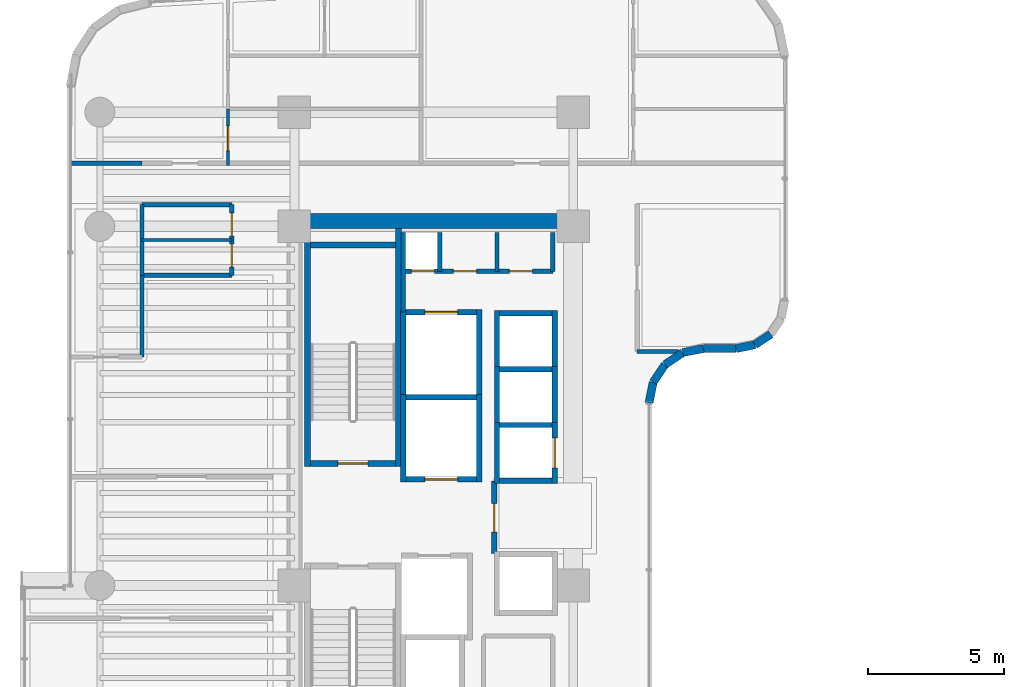
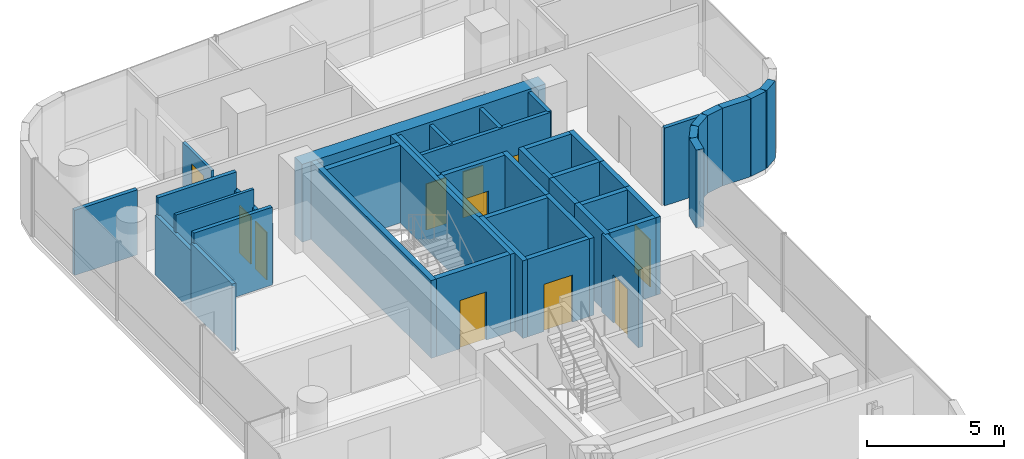
# One storey, part 27 of 34: 44 walls, 11 doors, 11 openings.
"""IFC4 building model written with IfcOpenShell, lengths in metres."""

from ifc_helpers import new_model, si_unit, direction, frame, frame_2d, origin, place, context, subcontext, project, spatial, rectangle, extrude, material, layer, layer_set, type_object, element, fill, save


model = new_model("IFC4")

# Units and contexts
model_context = context("Model", 3, precision=1e-05, world=origin(), true_north=direction((0.0, 1.0)))
body_context = subcontext(model_context, "Body", "Model", "MODEL_VIEW")
ifc_project = project(units=[si_unit("LENGTHUNIT", "METRE"), si_unit("AREAUNIT", "SQUARE_METRE"), si_unit("VOLUMEUNIT", "CUBIC_METRE"), si_unit("PLANEANGLEUNIT", "RADIAN"), si_unit("MASSUNIT", "GRAM", prefix="KILO")], contexts=[model_context])

# Site, building, storey
site_placement = place(None, origin())
site = spatial("IfcSite", under=ifc_project, at=site_placement, CompositionType="ELEMENT")
building_placement = place(site_placement, origin())
building = spatial("IfcBuilding", under=site, at=building_placement, Name="Valdorenza Pilgrim Sanctuary Tower", CompositionType="ELEMENT")
storey_placement = place(building_placement, frame((0.0, 0.0, 161.199951171875)))
storey = spatial("IfcBuildingStorey", under=building, at=storey_placement, Name="L41", CompositionType="ELEMENT", Elevation=161.199951171875)

# Wall
ifc_material_1 = material(Name="Acoustic twin-stud gypsum partition", Category="gypsum")
ifc_layer_1 = layer(ifc_material_1, 0.159912109375, Name="Acoustic twin-stud gypsum partition")
ifc_layer_set_1 = layer_set([ifc_layer_1], Name="Acoustic twin-stud gypsum partition")
wall_type_1 = type_object("IfcWallType", Name="WAL-COR-160", PredefinedType="PARTITIONING", material=ifc_layer_set_1)
wall_1_placement = place(storey_placement, frame((-18.64990234375, 7.449951171875, 0.0), z_axis=(0.0, 0.0, 1.0), x_axis=(0.0, 1.0, 0.0)))
element("IfcWall", 1, at=wall_1_placement, inside=storey, type_object=wall_type_1, Name="L41 Core A North Service West Wall", PredefinedType="PARTITIONING", context=body_context, shape_type="SweptSolid", body=[
    extrude(rectangle(XDim=2.929931640625, YDim=0.159912109375, at=frame_2d((1.46484375, 0.0))), origin(), (0.0, 0.0, 1.0), 3.4599609375),
])

# Wall, openings, doors
wall_2_placement = place(storey_placement, frame((-18.64990234375, 8.949951171875, 0.0), z_axis=(0.0, 0.0, 1.0), x_axis=(1.0, 0.0, 0.0)))
wall_2 = element("IfcWall", 2, at=wall_2_placement, inside=storey, type_object=wall_type_1, Name="L41 Core A North Service South Wall", PredefinedType="PARTITIONING", context=body_context, shape_type="SweptSolid", body=[
    extrude(rectangle(XDim=5.5, YDim=0.159912109375, at=frame_2d((2.75, 0.0))), origin(), (0.0, 0.0, 1.0), 3.4599609375),
])
opening_1_placement = place(wall_2_placement, frame((0.300048828125, 0.0, 0.0)))
opening_1 = element("IfcOpeningElement", 3, at=opening_1_placement, cuts=wall_2, Name="Opening DR-RS1", PredefinedType="OPENING", context=body_context, shape_type="SweptSolid", body=[
    extrude(rectangle(XDim=0.85009765625, YDim=2.050048828125, at=frame_2d((0.425048828125, 1.02490234375))), frame((0.0, 0.0947265625, 0.0), z_axis=(0.0, -1.0, 0.0), x_axis=(1.0, 0.0, 0.0)), (0.0, 0.0, 1.0), 0.189697265625),
])
opening_2_placement = place(wall_2_placement, frame((1.85009765625, 0.0, 0.0)))
opening_2 = element("IfcOpeningElement", 4, at=opening_2_placement, cuts=wall_2, Name="Opening DR-RS1", PredefinedType="OPENING", context=body_context, shape_type="SweptSolid", body=[
    extrude(rectangle(XDim=0.85009765625, YDim=2.050048828125, at=frame_2d((0.425048828125, 1.02490234375))), frame((0.0, 0.0947265625, 0.0), z_axis=(0.0, -1.0, 0.0), x_axis=(1.0, 0.0, 0.0)), (0.0, 0.0, 1.0), 0.189697265625),
])
opening_3_placement = place(wall_2_placement, frame((3.89990234375, 0.0, 0.0)))
opening_3 = element("IfcOpeningElement", 5, at=opening_3_placement, cuts=wall_2, Name="Opening DR-RS1", PredefinedType="OPENING", context=body_context, shape_type="SweptSolid", body=[
    extrude(rectangle(XDim=0.85009765625, YDim=2.050048828125, at=frame_2d((0.425048828125, 1.02490234375))), frame((0.0, 0.0947265625, 0.0), z_axis=(0.0, -1.0, 0.0), x_axis=(1.0, 0.0, 0.0)), (0.0, 0.0, 1.0), 0.189697265625),
])
ifc_material_2 = material(Name="Painted galvanized steel", Category="steel")
door_type_1 = type_object("IfcDoorType", Name="DR-RSR-850", OperationType="NOTDEFINED", PredefinedType="DOOR", material=ifc_material_2)
door_1_placement = place(opening_1_placement, origin())
door_1 = element("IfcDoor", 6, at=door_1_placement, inside=storey, type_object=door_type_1, Name="L41 Core Electrical and Telecom Riser Door", OperationType="SINGLE_SWING_LEFT", OverallHeight=2.050048828125, OverallWidth=0.85009765625, PredefinedType="DOOR", context=body_context, shape_type="SweptSolid", body=[
    extrude(rectangle(XDim=0.85009765625, YDim=2.050048828125, at=frame_2d((0.425048828125, 1.02490234375))), frame((0.0, 0.02490234375, 0.0), z_axis=(0.0, -1.0, 0.0), x_axis=(1.0, 0.0, 0.0)), (0.0, 0.0, 1.0), 0.050048828125),
])
fill(opening_1, door_1)
door_2_placement = place(opening_2_placement, origin())
door_2 = element("IfcDoor", 7, at=door_2_placement, inside=storey, type_object=door_type_1, Name="L41 Housekeeping and Clean Linen Room Door", OperationType="SINGLE_SWING_RIGHT", OverallHeight=2.050048828125, OverallWidth=0.85009765625, PredefinedType="DOOR", context=body_context, shape_type="SweptSolid", body=[
    extrude(rectangle(XDim=0.85009765625, YDim=2.050048828125, at=frame_2d((0.425048828125, 1.02490234375))), frame((0.0, 0.02490234375, 0.0), z_axis=(0.0, -1.0, 0.0), x_axis=(1.0, 0.0, 0.0)), (0.0, 0.0, 1.0), 0.050048828125),
])
fill(opening_2, door_2)
door_3_placement = place(opening_3_placement, origin())
door_3 = element("IfcDoor", 8, at=door_3_placement, inside=storey, type_object=door_type_1, Name="L41 Guest Ice and Vending Pantry Door", OperationType="SINGLE_SWING_LEFT", OverallHeight=2.050048828125, OverallWidth=0.85009765625, PredefinedType="DOOR", context=body_context, shape_type="SweptSolid", body=[
    extrude(rectangle(XDim=0.85009765625, YDim=2.050048828125, at=frame_2d((0.425048828125, 1.02490234375))), frame((0.0, 0.02490234375, 0.0), z_axis=(0.0, -1.0, 0.0), x_axis=(1.0, 0.0, 0.0)), (0.0, 0.0, 1.0), 0.050048828125),
])
fill(opening_3, door_3)

# Walls
for number, where, z_axis, x_axis, name in (
    (9, (-13.14990234375, 8.949951171875, 0.0), (0.0, 0.0, 1.0), (0.0, 1.0, 0.0), "L41 Core A North Service East Wall"),
    (10, (-17.300048828125, 8.949951171875, 0.0), (0.0, 0.0, 1.0), (0.0, 1.0, 0.0), "L41 Core Electrical Riser Wall"),
    (11, (-15.199951171875, 8.949951171875, 0.0), (0.0, 0.0, 1.0), (0.0, 1.0, 0.0), "L41 Core A Housekeeping Split B"),
):
    element("IfcWall", number, at=place(storey_placement, frame(where, z_axis=z_axis, x_axis=x_axis)), inside=storey, type_object=wall_type_1, Name=name, PredefinedType="PARTITIONING", context=body_context, shape_type="SweptSolid", body=[
        extrude(rectangle(XDim=1.429931640625, YDim=0.159912109375, at=frame_2d((0.71484375, 0.0))), origin(), (0.0, 0.0, 1.0), 3.4599609375),
    ])
wall_3_placement = place(storey_placement, frame((-28.25, 8.800048828125, 0.0), z_axis=(0.0, 0.0, 1.0), x_axis=(0.0, 1.0, 0.0)))
element("IfcWall", 12, at=wall_3_placement, inside=storey, type_object=wall_type_1, Name="L41 Washroom West Wall", PredefinedType="PARTITIONING", context=body_context, shape_type="SweptSolid", body=[
    extrude(rectangle(XDim=2.599853515625, YDim=0.159912109375, at=frame_2d((1.2998046875, 0.0))), origin(), (0.0, 0.0, 1.0), 2.666015625),
])

# Wall, openings, doors
wall_4_placement = place(storey_placement, frame((-24.949951171875, 8.800048828125, 0.0), z_axis=(0.0, 0.0, 1.0), x_axis=(0.0, 1.0, 0.0)))
wall_4 = element("IfcWall", 13, at=wall_4_placement, inside=storey, type_object=wall_type_1, Name="L41 Washroom East Wall", PredefinedType="PARTITIONING", context=body_context, shape_type="SweptSolid", body=[
    extrude(rectangle(XDim=2.599853515625, YDim=0.159912109375, at=frame_2d((1.2998046875, 0.0))), origin(), (0.0, 0.0, 1.0), 2.666015625),
])
opening_4_placement = place(wall_4_placement, frame((0.300048828125, 0.0, 0.0)))
opening_4 = element("IfcOpeningElement", 14, at=opening_4_placement, cuts=wall_4, Name="Opening DR-WC1", PredefinedType="OPENING", context=body_context, shape_type="SweptSolid", body=[
    extrude(rectangle(XDim=0.85009765625, YDim=2.10009765625, at=frame_2d((0.425048828125, 1.050048828125))), frame((0.0, 0.0947265625, 0.0), z_axis=(0.0, -1.0, 0.0), x_axis=(1.0, 0.0, 0.0)), (0.0, 0.0, 1.0), 0.189697265625),
])
opening_5_placement = place(wall_4_placement, frame((1.449951171875, 0.0, 0.0)))
opening_5 = element("IfcOpeningElement", 15, at=opening_5_placement, cuts=wall_4, Name="Opening DR-WC1", PredefinedType="OPENING", context=body_context, shape_type="SweptSolid", body=[
    extrude(rectangle(XDim=0.85009765625, YDim=2.10009765625, at=frame_2d((0.425048828125, 1.050048828125))), frame((0.0, 0.0947265625, 0.0), z_axis=(0.0, -1.0, 0.0), x_axis=(1.0, 0.0, 0.0)), (0.0, 0.0, 1.0), 0.189697265625),
])
ifc_material_3 = material(Name="Moisture-resistant lacquered timber", Category="wood")
door_type_2 = type_object("IfcDoorType", Name="DR-BATH-850", OperationType="NOTDEFINED", PredefinedType="DOOR", material=ifc_material_3)
door_4_placement = place(opening_4_placement, origin())
door_4 = element("IfcDoor", 16, at=door_4_placement, inside=storey, type_object=door_type_2, Name="L41 Accessible Washroom Door", OperationType="SINGLE_SWING_LEFT", OverallHeight=2.10009765625, OverallWidth=0.85009765625, PredefinedType="DOOR", context=body_context, shape_type="SweptSolid", body=[
    extrude(rectangle(XDim=0.85009765625, YDim=2.10009765625, at=frame_2d((0.425048828125, 1.050048828125))), frame((0.0, 0.02490234375, 0.0), z_axis=(0.0, -1.0, 0.0), x_axis=(1.0, 0.0, 0.0)), (0.0, 0.0, 1.0), 0.050048828125),
])
fill(opening_4, door_4)
door_5_placement = place(opening_5_placement, origin())
door_5 = element("IfcDoor", 17, at=door_5_placement, inside=storey, type_object=door_type_2, Name="L41 Public Washroom Door", OperationType="SINGLE_SWING_RIGHT", OverallHeight=2.10009765625, OverallWidth=0.85009765625, PredefinedType="DOOR", context=body_context, shape_type="SweptSolid", body=[
    extrude(rectangle(XDim=0.85009765625, YDim=2.10009765625, at=frame_2d((0.425048828125, 1.050048828125))), frame((0.0, 0.02490234375, 0.0), z_axis=(0.0, -1.0, 0.0), x_axis=(1.0, 0.0, 0.0)), (0.0, 0.0, 1.0), 0.050048828125),
])
fill(opening_5, door_5)

# Walls
for number, where, z_axis, x_axis, name in (
    (18, (-28.25, 8.800048828125, 0.0), (0.0, 0.0, 1.0), (1.0, 0.0, 0.0), "L41 Washroom South Wall"),
    (19, (-28.25, 11.39990234375, 0.0), (0.0, 0.0, 1.0), (1.0, 0.0, 0.0), "L41 Washroom North Wall"),
):
    element("IfcWall", number, at=place(storey_placement, frame(where, z_axis=z_axis, x_axis=x_axis)), inside=storey, type_object=wall_type_1, Name=name, PredefinedType="PARTITIONING", context=body_context, shape_type="SweptSolid", body=[
        extrude(rectangle(XDim=3.300048828125, YDim=0.159912109375, at=frame_2d((1.64990234375, 0.0))), origin(), (0.0, 0.0, 1.0), 3.4599609375),
    ])
wall_5_placement = place(storey_placement, frame((-28.25, 5.800048828125, 0.0), z_axis=(0.0, 0.0, 1.0), x_axis=(0.0, 1.0, 0.0)))
element("IfcWall", 20, at=wall_5_placement, inside=storey, type_object=wall_type_1, Name="L41 Cloister NE Closure", PredefinedType="PARTITIONING", context=body_context, shape_type="SweptSolid", body=[
    extrude(rectangle(XDim=3.0, YDim=0.159912109375, at=frame_2d((1.5, 0.0))), origin(), (0.0, 0.0, 1.0), 2.988037109375),
])
wall_6_placement = place(storey_placement, frame((-30.889892578125, 12.919921875, 0.0), z_axis=(0.0, 0.0, 1.0), x_axis=(1.0, 0.0, 0.0)))
element("IfcWall", 21, at=wall_6_placement, inside=storey, type_object=wall_type_1, Name="L41 Cloister North Solid Partition", PredefinedType="PARTITIONING", context=body_context, shape_type="SweptSolid", body=[
    extrude(rectangle(XDim=2.639892578125, YDim=0.159912109375, at=frame_2d((1.31982421875, 0.0))), origin(), (0.0, 0.0, 1.0), 2.89599609375),
])
wall_7_placement = place(storey_placement, frame((-10.050048828125, 6.0, 0.0), z_axis=(0.0, 0.0, 1.0), x_axis=(1.0, 0.0, 0.0)))
element("IfcWall", 22, at=wall_7_placement, inside=storey, type_object=wall_type_1, Name="L41 East Stub South Wall", PredefinedType="PARTITIONING", context=body_context, shape_type="SweptSolid", body=[
    extrude(rectangle(XDim=1.516357421875, YDim=0.159912109375, at=frame_2d((0.75830078125, 0.0))), origin(), (0.0, 0.0, 1.0), 3.4599609375),
])
ifc_material_4 = material(Name="Concrete C50/60", Category="concrete")
ifc_layer_2 = layer(ifc_material_4, 0.550048828125, Name="Concrete C50/60")
ifc_layer_set_2 = layer_set([ifc_layer_2], Name="Concrete C50/60")
wall_type_2 = type_object("IfcWallType", Name="WAL-COR-550", PredefinedType="SHEAR", material=ifc_layer_set_2)
wall_8_placement = place(storey_placement, frame((-22.64990234375, 10.800048828125, 0.0), z_axis=(0.0, 0.0, 1.0), x_axis=(1.0, 0.0, 0.0)))
element("IfcWall", 23, at=wall_8_placement, inside=storey, type_object=wall_type_2, Name="L41 Split Core A Shear Wall N", PredefinedType="SHEAR", context=body_context, shape_type="SweptSolid", body=[
    extrude(rectangle(XDim=10.25, YDim=0.550048828125, at=frame_2d((5.125, 0.0))), origin(), (0.0, 0.0, 1.0), 3.4599609375),
])
ifc_material_5 = material(Name="Honed travertine limestone", Category="masonry")
ifc_layer_3 = layer(ifc_material_5, 0.300048828125, Name="Honed travertine limestone")
ifc_layer_set_3 = layer_set([ifc_layer_3], Name="Honed travertine limestone")
wall_type_3 = type_object("IfcWallType", Name="WAL-EXT-300", PredefinedType="SOLIDWALL", material=ifc_layer_set_3)
wall_9_placement = place(storey_placement, frame((-5.1357421875, 6.6357421875, 0.0), z_axis=(0.0, 0.0, 1.0), x_axis=(-0.831565381614, -0.555426877366, 0.0)))
element("IfcWall", 24, at=wall_9_placement, inside=storey, type_object=wall_type_3, Name="L41 Rounded Wind-Corner Stone Pier 14", PredefinedType="SOLIDWALL", context=body_context, shape_type="SweptSolid", body=[
    extrude(rectangle(XDim=0.697509765625, YDim=0.300048828125, at=frame_2d((0.3486328125, 0.0))), origin(), (0.0, 0.0, 1.0), 3.4599609375),
])
wall_10_placement = place(storey_placement, frame((-5.7158203125, 6.248291015625, 0.0), z_axis=(0.0, 0.0, 1.0), x_axis=(-0.980805282058, -0.194989739953, 0.0)))
element("IfcWall", 25, at=wall_10_placement, inside=storey, type_object=wall_type_3, Name="L41 Rounded Wind-Corner Stone Pier 15", PredefinedType="SOLIDWALL", context=body_context, shape_type="SweptSolid", body=[
    extrude(rectangle(XDim=0.708740234375, YDim=0.300048828125, at=frame_2d((0.3544921875, 0.0))), origin(), (0.0, 0.0, 1.0), 3.4599609375),
])
wall_11_placement = place(storey_placement, frame((-6.410888671875, 6.110107421875, 0.0), z_axis=(0.0, 0.0, 1.0), x_axis=(-1.0, 0.0, 0.0)))
element("IfcWall", 26, at=wall_11_placement, inside=storey, type_object=wall_type_3, Name="L41 Rounded Wind-Corner Stone Pier 16", PredefinedType="SOLIDWALL", context=body_context, shape_type="SweptSolid", body=[
    extrude(rectangle(XDim=1.199951171875, YDim=0.300048828125, at=frame_2d((0.60009765625, 0.0))), origin(), (0.0, 0.0, 1.0), 3.4599609375),
])
wall_12_placement = place(storey_placement, frame((-7.61083984375, 6.110107421875, 0.0), z_axis=(0.0, 0.0, 1.0), x_axis=(-0.98076219082, -0.195206365311, 0.0)))
element("IfcWall", 27, at=wall_12_placement, inside=storey, type_object=wall_type_3, Name="L41 Rounded Wind-Corner Stone Pier 17", PredefinedType="SOLIDWALL", context=body_context, shape_type="SweptSolid", body=[
    extrude(rectangle(XDim=0.774169921875, YDim=0.300048828125, at=frame_2d((0.38720703125, 0.0))), origin(), (0.0, 0.0, 1.0), 3.4599609375),
])
for number, where, z_axis, x_axis, name in (
    (28, (-8.3701171875, 5.958984375, 0.0), (0.0, 0.0, 1.0), (-0.831331880615, -0.555776307766, 0.0), "L41 Rounded Wind-Corner Stone Pier 18"),
    (29, (-9.022705078125, 5.522705078125, 0.0), (0.0, 0.0, 1.0), (-0.555776307766, -0.831331880615, 0.0), "L41 Rounded Wind-Corner Stone Pier 19"),
):
    element("IfcWall", number, at=place(storey_placement, frame(where, z_axis=z_axis, x_axis=x_axis)), inside=storey, type_object=wall_type_3, Name=name, PredefinedType="SOLIDWALL", context=body_context, shape_type="SweptSolid", body=[
        extrude(rectangle(XDim=0.784912109375, YDim=0.300048828125, at=frame_2d((0.392578125, 0.0))), origin(), (0.0, 0.0, 1.0), 3.4599609375),
    ])
wall_13_placement = place(storey_placement, frame((-9.458984375, 4.8701171875, 0.0), z_axis=(0.0, 0.0, 1.0), x_axis=(-0.195206365311, -0.98076219082, 0.0)))
element("IfcWall", 30, at=wall_13_placement, inside=storey, type_object=wall_type_3, Name="L41 Rounded Wind-Corner Stone Pier 20", PredefinedType="SOLIDWALL", context=body_context, shape_type="SweptSolid", body=[
    extrude(rectangle(XDim=0.774169921875, YDim=0.300048828125, at=frame_2d((0.38720703125, 0.0))), origin(), (0.0, 0.0, 1.0), 3.4599609375),
])

# Wall, opening, door
ifc_material_6 = material(Name="Gypsum shaftwall partition", Category="gypsum")
ifc_layer_4 = layer(ifc_material_6, 0.199951171875, Name="Gypsum shaftwall partition")
ifc_layer_set_4 = layer_set([ifc_layer_4], Name="Gypsum shaftwall partition")
wall_type_4 = type_object("IfcWallType", Name="WAL-FFL-200", PredefinedType="PARTITIONING", material=ifc_layer_set_4)
wall_14_placement = place(storey_placement, frame((-15.300048828125, -1.419921875, 0.0), z_axis=(0.0, 0.0, 1.0), x_axis=(0.0, 1.0, 0.0)))
wall_14 = element("IfcWall", 31, at=wall_14_placement, inside=storey, type_object=wall_type_4, Name="L41 Core A Firefighting Lobby East Wall", PredefinedType="PARTITIONING", context=body_context, shape_type="SweptSolid", body=[
    extrude(rectangle(XDim=2.669921875, YDim=0.199951171875, at=frame_2d((1.3349609375, 0.0))), origin(), (0.0, 0.0, 1.0), 3.4599609375),
])
opening_6_placement = place(wall_14_placement, frame((0.780029296875, 0.0, 0.0)))
opening_6 = element("IfcOpeningElement", 32, at=opening_6_placement, cuts=wall_14, Name="Opening DR-FL1", PredefinedType="OPENING", context=body_context, shape_type="SweptSolid", body=[
    extrude(rectangle(XDim=1.050048828125, YDim=2.14990234375, at=frame_2d((0.52490234375, 1.074951171875))), frame((0.0, 0.11474609375, 0.0), z_axis=(0.0, -1.0, 0.0), x_axis=(1.0, 0.0, 0.0)), (0.0, 0.0, 1.0), 0.229736328125),
])
door_type_3 = type_object("IfcDoorType", Name="DR-FFL-1050", OperationType="NOTDEFINED", PredefinedType="DOOR", material=ifc_material_2)
door_6_placement = place(opening_6_placement, origin())
door_6 = element("IfcDoor", 33, at=door_6_placement, inside=storey, type_object=door_type_3, Name="L41 Core A Firefighting Lobby Door", OperationType="SINGLE_SWING_RIGHT", OverallHeight=2.14990234375, OverallWidth=1.050048828125, PredefinedType="DOOR", context=body_context, shape_type="SweptSolid", body=[
    extrude(rectangle(XDim=1.050048828125, YDim=2.14990234375, at=frame_2d((0.52490234375, 1.074951171875))), frame((0.0, 0.02490234375, 0.0), z_axis=(0.0, -1.0, 0.0), x_axis=(1.0, 0.0, 0.0)), (0.0, 0.0, 1.0), 0.050048828125),
])
fill(opening_6, door_6)

# Wall
ifc_material_7 = material(Name="Moisture-resistant gypsum partition", Category="gypsum")
ifc_layer_5 = layer(ifc_material_7, 0.1201171875, Name="Moisture-resistant gypsum partition")
ifc_layer_set_5 = layer_set([ifc_layer_5], Name="Moisture-resistant gypsum partition")
wall_type_5 = type_object("IfcWallType", Name="WAL-INT-120", PredefinedType="PARTITIONING", material=ifc_layer_set_5)
wall_15_placement = place(storey_placement, frame((-28.25, 10.10009765625, 0.0), z_axis=(0.0, 0.0, 1.0), x_axis=(1.0, 0.0, 0.0)))
element("IfcWall", 34, at=wall_15_placement, inside=storey, type_object=wall_type_5, Name="L41 Washroom Divider Wall", PredefinedType="PARTITIONING", context=body_context, shape_type="SweptSolid", body=[
    extrude(rectangle(XDim=3.300048828125, YDim=0.1201171875, at=frame_2d((1.64990234375, 0.0))), origin(), (0.0, 0.0, 1.0), 3.4599609375),
])

# Wall, opening, door
wall_16_placement = place(storey_placement, frame((-25.0849609375, 12.840087890625, 0.0), z_axis=(0.0, 0.0, 1.0), x_axis=(0.0, 1.0, 0.0)))
wall_16 = element("IfcWall", 35, at=wall_16_placement, inside=storey, type_object=wall_type_5, Name="L41 North Family Flat L41-N1 Kitchen Door Wall", PredefinedType="PARTITIONING", context=body_context, shape_type="SweptSolid", body=[
    extrude(rectangle(XDim=2.079833984375, YDim=0.1201171875, at=frame_2d((1.0400390625, 0.0))), origin(), (0.0, 0.0, 1.0), 2.666015625),
])
opening_7_placement = place(wall_16_placement, frame((0.550048828125, 0.0, 0.0)))
opening_7 = element("IfcOpeningElement", 36, at=opening_7_placement, cuts=wall_16, Name="Opening DR-RM1", PredefinedType="OPENING", context=body_context, shape_type="SweptSolid", body=[
    extrude(rectangle(XDim=0.89990234375, YDim=2.10009765625, at=frame_2d((0.449951171875, 1.050048828125))), frame((0.0, 0.074951171875, 0.0), z_axis=(0.0, -1.0, 0.0), x_axis=(1.0, 0.0, 0.0)), (0.0, 0.0, 1.0), 0.14990234375),
])
ifc_material_8 = material(Name="Solid-core European oak timber", Category="wood")
door_type_4 = type_object("IfcDoorType", Name="DR-ROOM-900", OperationType="NOTDEFINED", PredefinedType="DOOR", material=ifc_material_8)
door_7_placement = place(opening_7_placement, origin())
door_7 = element("IfcDoor", 37, at=door_7_placement, inside=storey, type_object=door_type_4, Name="L41 North Family Flat L41-N1 Kitchen Door", OperationType="SINGLE_SWING_LEFT", OverallHeight=2.10009765625, OverallWidth=0.89990234375, PredefinedType="DOOR", context=body_context, shape_type="SweptSolid", body=[
    extrude(rectangle(XDim=0.89990234375, YDim=2.10009765625, at=frame_2d((0.449951171875, 1.050048828125))), frame((0.0, 0.02490234375, 0.0), z_axis=(0.0, -1.0, 0.0), x_axis=(1.0, 0.0, 0.0)), (0.0, 0.0, 1.0), 0.050048828125),
])
fill(opening_7, door_7)

# Walls
ifc_material_9 = material(Name="Autoclaved aerated concrete blockwork", Category="masonry")
ifc_layer_6 = layer(ifc_material_9, 0.199951171875, Name="Autoclaved aerated concrete blockwork")
ifc_layer_set_6 = layer_set([ifc_layer_6], Name="Autoclaved aerated concrete blockwork")
wall_type_6 = type_object("IfcWallType", Name="WAL-SHF-200", PredefinedType="MOVABLE", material=ifc_layer_set_6)
for number, where, z_axis, x_axis, name in (
    (38, (-18.64990234375, 1.199951171875, 0.0), (0.0, 0.0, 1.0), (0.0, 1.0, 0.0), "L41 Lift FFL-01 Hoistway Wall West"),
    (39, (-15.85009765625, 1.199951171875, 0.0), (0.0, 0.0, 1.0), (0.0, 1.0, 0.0), "L41 Lift FFL-01 Hoistway Wall East"),
):
    element("IfcWall", number, at=place(storey_placement, frame(where, z_axis=z_axis, x_axis=x_axis)), inside=storey, type_object=wall_type_6, Name=name, PredefinedType="MOVABLE", context=body_context, shape_type="SweptSolid", body=[
        extrude(rectangle(XDim=3.22509765625, YDim=0.199951171875, at=frame_2d((1.612548828125, 0.0))), origin(), (0.0, 0.0, 1.0), 3.4599609375),
    ])

# Wall, opening, door
wall_17_placement = place(storey_placement, frame((-18.550048828125, 1.300048828125, 0.0), z_axis=(0.0, 0.0, 1.0), x_axis=(1.0, 0.0, 0.0)))
wall_17 = element("IfcWall", 40, at=wall_17_placement, inside=storey, type_object=wall_type_6, Name="L41 Lift FFL-01 Hoistway Wall South", PredefinedType="MOVABLE", context=body_context, shape_type="SweptSolid", body=[
    extrude(rectangle(XDim=2.60009765625, YDim=0.199951171875, at=frame_2d((1.300048828125, 0.0))), origin(), (0.0, 0.0, 1.0), 3.4599609375),
])
opening_8_placement = place(wall_17_placement, frame((0.699951171875, 0.0, 0.0)))
opening_8 = element("IfcOpeningElement", 41, at=opening_8_placement, cuts=wall_17, Name="Opening LD-02", PredefinedType="OPENING", context=body_context, shape_type="SweptSolid", body=[
    extrude(rectangle(XDim=1.199951171875, YDim=2.10009765625, at=frame_2d((0.60009765625, 1.050048828125))), frame((0.0, 0.11474609375, 0.0), z_axis=(0.0, -1.0, 0.0), x_axis=(1.0, 0.0, 0.0)), (0.0, 0.0, 1.0), 0.229736328125),
])
ifc_material_10 = material(Name="Brushed stainless steel Grade 316", Category="steel")
door_type_5 = type_object("IfcDoorType", Name="DR-LFT-1200", OperationType="DOUBLE_DOOR_SLIDING", PredefinedType="DOOR", material=ifc_material_10)
door_8_placement = place(opening_8_placement, origin())
door_8 = element("IfcDoor", 42, at=door_8_placement, inside=storey, type_object=door_type_5, Name="L41 Lift FFL-01 Sliding Landing Door", OperationType="DOUBLE_DOOR_SLIDING", OverallHeight=2.10009765625, OverallWidth=1.199951171875, PredefinedType="DOOR", context=body_context, shape_type="SweptSolid", body=[
    extrude(rectangle(XDim=1.199951171875, YDim=2.10009765625, at=frame_2d((0.60009765625, 1.050048828125))), frame((0.0, 0.02490234375, 0.0), z_axis=(0.0, -1.0, 0.0), x_axis=(1.0, 0.0, 0.0)), (0.0, 0.0, 1.0), 0.050048828125),
])
fill(opening_8, door_8)

# Walls
wall_18_placement = place(storey_placement, frame((-18.550048828125, 4.324951171875, 0.0), z_axis=(0.0, 0.0, 1.0), x_axis=(1.0, 0.0, 0.0)))
element("IfcWall", 43, at=wall_18_placement, inside=storey, type_object=wall_type_6, Name="L41 Lift FFL-01 Hoistway Wall North", PredefinedType="MOVABLE", context=body_context, shape_type="SweptSolid", body=[
    extrude(rectangle(XDim=2.60009765625, YDim=0.199951171875, at=frame_2d((1.300048828125, 0.0))), origin(), (0.0, 0.0, 1.0), 3.4599609375),
])
for number, where, z_axis, x_axis, name in (
    (44, (-18.64990234375, 4.22509765625, 0.0), (0.0, 0.0, 1.0), (0.0, 1.0, 0.0), "L41 Lift SVL-01 Hoistway Wall West"),
    (45, (-15.85009765625, 4.22509765625, 0.0), (0.0, 0.0, 1.0), (0.0, 1.0, 0.0), "L41 Lift SVL-01 Hoistway Wall East"),
):
    element("IfcWall", number, at=place(storey_placement, frame(where, z_axis=z_axis, x_axis=x_axis)), inside=storey, type_object=wall_type_6, Name=name, PredefinedType="MOVABLE", context=body_context, shape_type="SweptSolid", body=[
        extrude(rectangle(XDim=3.324951171875, YDim=0.199951171875, at=frame_2d((1.66259765625, 0.0))), origin(), (0.0, 0.0, 1.0), 3.4599609375),
    ])

# Wall, opening, door
wall_19_placement = place(storey_placement, frame((-18.550048828125, 7.449951171875, 0.0), z_axis=(0.0, 0.0, 1.0), x_axis=(1.0, 0.0, 0.0)))
wall_19 = element("IfcWall", 46, at=wall_19_placement, inside=storey, type_object=wall_type_6, Name="L41 Lift SVL-01 Hoistway Wall North", PredefinedType="MOVABLE", context=body_context, shape_type="SweptSolid", body=[
    extrude(rectangle(XDim=2.60009765625, YDim=0.199951171875, at=frame_2d((1.300048828125, 0.0))), origin(), (0.0, 0.0, 1.0), 3.4599609375),
])
opening_9_placement = place(wall_19_placement, frame((0.699951171875, 0.0, 0.0)))
opening_9 = element("IfcOpeningElement", 47, at=opening_9_placement, cuts=wall_19, Name="Opening LD-02", PredefinedType="OPENING", context=body_context, shape_type="SweptSolid", body=[
    extrude(rectangle(XDim=1.199951171875, YDim=2.10009765625, at=frame_2d((0.60009765625, 1.050048828125))), frame((0.0, 0.11474609375, 0.0), z_axis=(0.0, -1.0, 0.0), x_axis=(1.0, 0.0, 0.0)), (0.0, 0.0, 1.0), 0.229736328125),
])
door_9_placement = place(opening_9_placement, origin())
door_9 = element("IfcDoor", 48, at=door_9_placement, inside=storey, type_object=door_type_5, Name="L41 Lift SVL-01 Sliding Landing Door", OperationType="DOUBLE_DOOR_SLIDING", OverallHeight=2.10009765625, OverallWidth=1.199951171875, PredefinedType="DOOR", context=body_context, shape_type="SweptSolid", body=[
    extrude(rectangle(XDim=1.199951171875, YDim=2.10009765625, at=frame_2d((0.60009765625, 1.050048828125))), frame((0.0, 0.02490234375, 0.0), z_axis=(0.0, -1.0, 0.0), x_axis=(1.0, 0.0, 0.0)), (0.0, 0.0, 1.0), 0.050048828125),
])
fill(opening_9, door_9)

# Wall
wall_20_placement = place(storey_placement, frame((-15.199951171875, 1.14990234375, 0.0), z_axis=(0.0, 0.0, 1.0), x_axis=(0.0, 1.0, 0.0)))
element("IfcWall", 49, at=wall_20_placement, inside=storey, type_object=wall_type_6, Name="L41 Lift PL-06 Hoistway Wall West", PredefinedType="MOVABLE", context=body_context, shape_type="SweptSolid", body=[
    extrude(rectangle(XDim=2.25, YDim=0.199951171875, at=frame_2d((1.125, 0.0))), origin(), (0.0, 0.0, 1.0), 3.4599609375),
])

# Wall, opening, door
wall_21_placement = place(storey_placement, frame((-13.080078125, 1.14990234375, 0.0), z_axis=(0.0, 0.0, 1.0), x_axis=(0.0, 1.0, 0.0)))
wall_21 = element("IfcWall", 50, at=wall_21_placement, inside=storey, type_object=wall_type_6, Name="L41 Lift PL-06 Hoistway Wall East", PredefinedType="MOVABLE", context=body_context, shape_type="SweptSolid", body=[
    extrude(rectangle(XDim=2.25, YDim=0.199951171875, at=frame_2d((1.125, 0.0))), origin(), (0.0, 0.0, 1.0), 3.4599609375),
])
opening_10_placement = place(wall_21_placement, frame((0.574951171875, 0.0, 0.0)))
opening_10 = element("IfcOpeningElement", 51, at=opening_10_placement, cuts=wall_21, Name="Opening LD-01", PredefinedType="OPENING", context=body_context, shape_type="SweptSolid", body=[
    extrude(rectangle(XDim=1.10009765625, YDim=2.10009765625, at=frame_2d((0.550048828125, 1.050048828125))), frame((0.0, 0.11474609375, 0.0), z_axis=(0.0, -1.0, 0.0), x_axis=(1.0, 0.0, 0.0)), (0.0, 0.0, 1.0), 0.229736328125),
])
door_type_6 = type_object("IfcDoorType", Name="DR-LFT-1100", OperationType="DOUBLE_DOOR_SLIDING", PredefinedType="DOOR", material=ifc_material_10)
door_10_placement = place(opening_10_placement, origin())
door_10 = element("IfcDoor", 52, at=door_10_placement, inside=storey, type_object=door_type_6, Name="L41 Lift PL-06 Sliding Landing Door", OperationType="DOUBLE_DOOR_SLIDING", OverallHeight=2.10009765625, OverallWidth=1.10009765625, PredefinedType="DOOR", context=body_context, shape_type="SweptSolid", body=[
    extrude(rectangle(XDim=1.10009765625, YDim=2.10009765625, at=frame_2d((0.550048828125, 1.050048828125))), frame((0.0, 0.02490234375, 0.0), z_axis=(0.0, -1.0, 0.0), x_axis=(1.0, 0.0, 0.0)), (0.0, 0.0, 1.0), 0.050048828125),
])
fill(opening_10, door_10)

# Walls
wall_22_placement = place(storey_placement, frame((-15.10009765625, 1.25, 0.0), z_axis=(0.0, 0.0, 1.0), x_axis=(1.0, 0.0, 0.0)))
element("IfcWall", 53, at=wall_22_placement, inside=storey, type_object=wall_type_6, Name="L41 Lift PL-06 Hoistway Wall South", PredefinedType="MOVABLE", context=body_context, shape_type="SweptSolid", body=[
    extrude(rectangle(XDim=1.920166015625, YDim=0.199951171875, at=frame_2d((0.9599609375, 0.0))), origin(), (0.0, 0.0, 1.0), 3.4599609375),
])
for number, where, z_axis, x_axis, name in (
    (54, (-15.199951171875, 3.199951171875, 0.0), (0.0, 0.0, 1.0), (0.0, 1.0, 0.0), "L41 Lift PL-09 Hoistway Wall West"),
    (55, (-13.080078125, 3.199951171875, 0.0), (0.0, 0.0, 1.0), (0.0, 1.0, 0.0), "L41 Lift PL-09 Hoistway Wall East"),
):
    element("IfcWall", number, at=place(storey_placement, frame(where, z_axis=z_axis, x_axis=x_axis)), inside=storey, type_object=wall_type_6, Name=name, PredefinedType="MOVABLE", context=body_context, shape_type="SweptSolid", body=[
        extrude(rectangle(XDim=2.25, YDim=0.199951171875, at=frame_2d((1.125, 0.0))), origin(), (0.0, 0.0, 1.0), 3.4599609375),
    ])
for number, where, z_axis, x_axis, name in (
    (56, (-15.10009765625, 3.300048828125, 0.0), (0.0, 0.0, 1.0), (1.0, 0.0, 0.0), "L41 Lift PL-09 Hoistway Wall South"),
    (57, (-15.10009765625, 5.35009765625, 0.0), (0.0, 0.0, 1.0), (1.0, 0.0, 0.0), "L41 Lift PL-09 Hoistway Wall North"),
):
    element("IfcWall", number, at=place(storey_placement, frame(where, z_axis=z_axis, x_axis=x_axis)), inside=storey, type_object=wall_type_6, Name=name, PredefinedType="MOVABLE", context=body_context, shape_type="SweptSolid", body=[
        extrude(rectangle(XDim=1.920166015625, YDim=0.199951171875, at=frame_2d((0.9599609375, 0.0))), origin(), (0.0, 0.0, 1.0), 3.4599609375),
    ])
for number, where, z_axis, x_axis, name in (
    (58, (-15.199951171875, 5.25, 0.0), (0.0, 0.0, 1.0), (0.0, 1.0, 0.0), "L41 Lift PL-10 Hoistway Wall West"),
    (59, (-13.080078125, 5.25, 0.0), (0.0, 0.0, 1.0), (0.0, 1.0, 0.0), "L41 Lift PL-10 Hoistway Wall East"),
):
    element("IfcWall", number, at=place(storey_placement, frame(where, z_axis=z_axis, x_axis=x_axis)), inside=storey, type_object=wall_type_6, Name=name, PredefinedType="MOVABLE", context=body_context, shape_type="SweptSolid", body=[
        extrude(rectangle(XDim=2.25, YDim=0.199951171875, at=frame_2d((1.125, 0.0))), origin(), (0.0, 0.0, 1.0), 3.4599609375),
    ])
wall_23_placement = place(storey_placement, frame((-15.10009765625, 7.39990234375, 0.0), z_axis=(0.0, 0.0, 1.0), x_axis=(1.0, 0.0, 0.0)))
element("IfcWall", 60, at=wall_23_placement, inside=storey, type_object=wall_type_6, Name="L41 Lift PL-10 Hoistway Wall North", PredefinedType="MOVABLE", context=body_context, shape_type="SweptSolid", body=[
    extrude(rectangle(XDim=1.920166015625, YDim=0.199951171875, at=frame_2d((0.9599609375, 0.0))), origin(), (0.0, 0.0, 1.0), 3.4599609375),
])
ifc_material_11 = material(Name="Concrete C40/50", Category="concrete")
ifc_layer_7 = layer(ifc_material_11, 0.219970703125, Name="Concrete C40/50")
ifc_layer_set_7 = layer_set([ifc_layer_7], Name="Concrete C40/50")
wall_type_7 = type_object("IfcWallType", Name="WAL-STR-SHF-220", PredefinedType="SHEAR", material=ifc_layer_set_7)
for number, where, z_axis, x_axis, name in (
    (61, (-22.159912109375, 1.780029296875, 0.0), (0.0, 0.0, 1.0), (0.0, 1.0, 0.0), "L41 ST-A1 Structural Stairwell Wall W"),
    (62, (-18.830078125, 1.780029296875, 0.0), (0.0, 0.0, 1.0), (0.0, 1.0, 0.0), "L41 ST-A1 Structural Stairwell Wall E"),
):
    element("IfcWall", number, at=place(storey_placement, frame(where, z_axis=z_axis, x_axis=x_axis)), inside=storey, type_object=wall_type_7, Name=name, PredefinedType="SHEAR", context=body_context, shape_type="SweptSolid", body=[
        extrude(rectangle(XDim=8.744873046875, YDim=0.219970703125, at=frame_2d((4.37255859375, 0.0))), origin(), (0.0, 0.0, 1.0), 3.4599609375),
    ])

# Wall, opening, door
wall_24_placement = place(storey_placement, frame((-22.050048828125, 1.889892578125, 0.0), z_axis=(0.0, 0.0, 1.0), x_axis=(1.0, 0.0, 0.0)))
wall_24 = element("IfcWall", 63, at=wall_24_placement, inside=storey, type_object=wall_type_7, Name="L41 ST-A1 Structural Stairwell Wall S", PredefinedType="SHEAR", context=body_context, shape_type="SweptSolid", body=[
    extrude(rectangle(XDim=3.110107421875, YDim=0.219970703125, at=frame_2d((1.55517578125, 0.0))), origin(), (0.0, 0.0, 1.0), 3.4599609375),
])
opening_11_placement = place(wall_24_placement, frame((1.0, 0.0, 0.0)))
opening_11 = element("IfcOpeningElement", 64, at=opening_11_placement, cuts=wall_24, Name="Opening DR-ST1", PredefinedType="OPENING", context=body_context, shape_type="SweptSolid", body=[
    extrude(rectangle(XDim=1.10009765625, YDim=2.14990234375, at=frame_2d((0.550048828125, 1.074951171875))), frame((0.0, 0.125, 0.0), z_axis=(0.0, -1.0, 0.0), x_axis=(1.0, 0.0, 0.0)), (0.0, 0.0, 1.0), 0.249755859375),
])
door_type_7 = type_object("IfcDoorType", Name="DR-STAIR-1100", OperationType="NOTDEFINED", PredefinedType="DOOR", material=ifc_material_2)
door_11_placement = place(opening_11_placement, frame((1.10009765625, 0.0, 0.0), z_axis=(0.0, 0.0, 1.0), x_axis=(-1.0, 0.0, 0.0)))
door_11 = element("IfcDoor", 65, at=door_11_placement, inside=storey, type_object=door_type_7, Name="L41 Exit Stair ST-A1 Door", OperationType="SINGLE_SWING_LEFT", OverallHeight=2.14990234375, OverallWidth=1.10009765625, PredefinedType="DOOR", context=body_context, shape_type="SweptSolid", body=[
    extrude(rectangle(XDim=1.10009765625, YDim=2.14990234375, at=frame_2d((0.550048828125, 1.074951171875))), frame((0.0, 0.02490234375, 0.0), z_axis=(0.0, -1.0, 0.0), x_axis=(1.0, 0.0, 0.0)), (0.0, 0.0, 1.0), 0.050048828125),
])
fill(opening_11, door_11)

# Wall
wall_25_placement = place(storey_placement, frame((-22.050048828125, 9.909912109375, 0.0), z_axis=(0.0, 0.0, 1.0), x_axis=(1.0, 0.0, 0.0)))
element("IfcWall", 66, at=wall_25_placement, inside=storey, type_object=wall_type_7, Name="L41 ST-A1 Structural Stairwell Wall N", PredefinedType="SHEAR", context=body_context, shape_type="SweptSolid", body=[
    extrude(rectangle(XDim=3.110107421875, YDim=0.219970703125, at=frame_2d((1.55517578125, 0.0))), origin(), (0.0, 0.0, 1.0), 3.4599609375),
])

save(model, "model.ifc")
